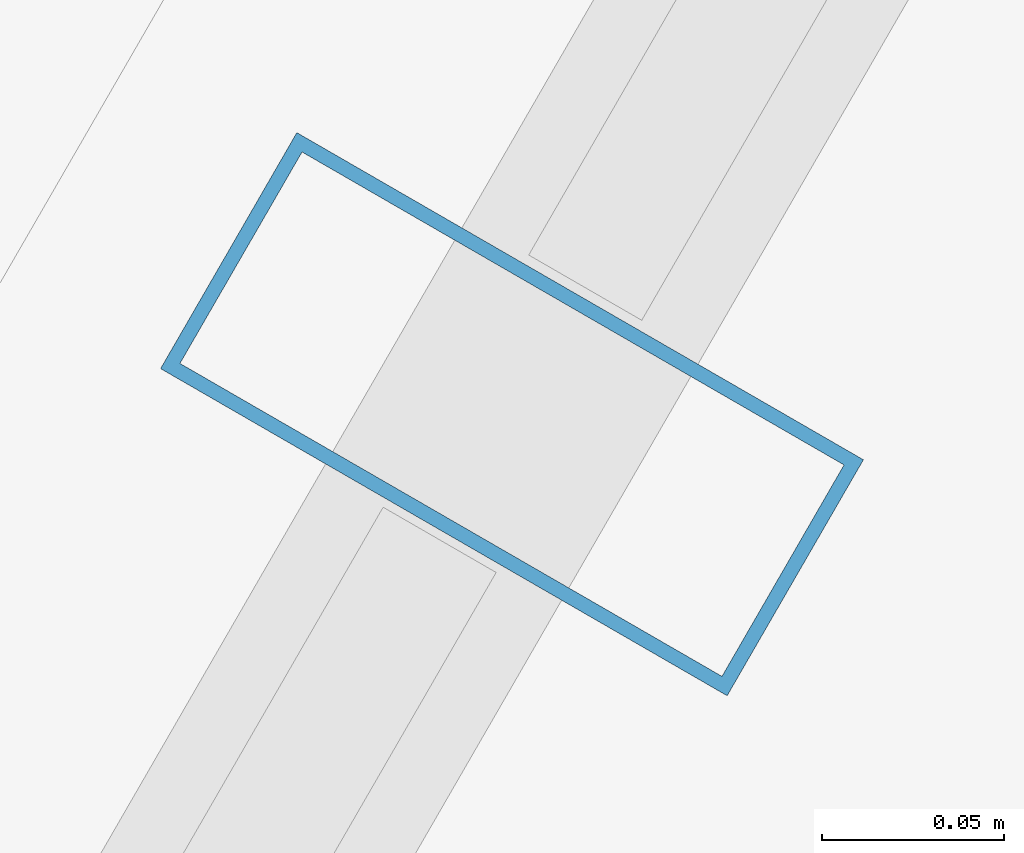
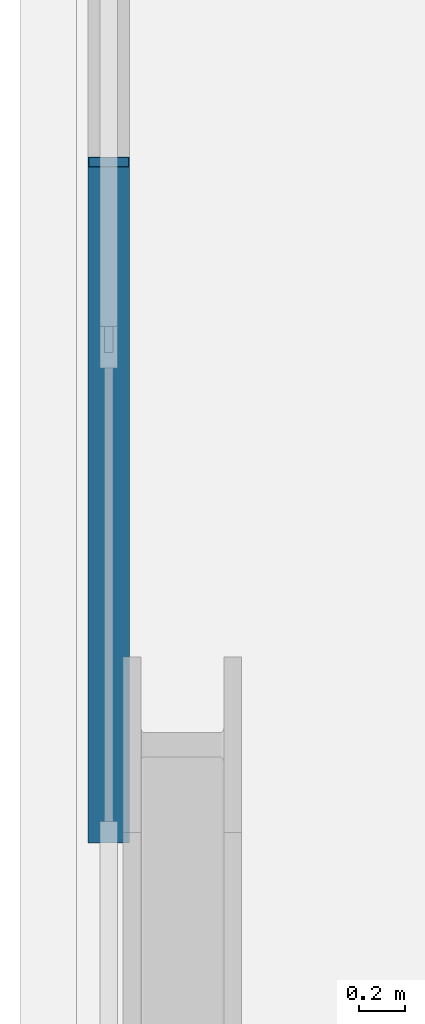
# One storey, part 14 of 33: 1 member, 1 element without a shape of its own.
"""IFC4 building model written with IfcOpenShell, lengths in metres."""

from ifc_helpers import new_model, si_unit, direction, frame, origin, origin_2d, place, context, subcontext, project, spatial, hollow_rectangle, extrude, material, layer, layer_set, material_profile, profile_set, type_object, element, aggregate, save


model = new_model("IFC4")

# Units and contexts
model_context = context("Model", 3, precision=1e-05, world=origin(), true_north=direction((0.0, 1.0)))
body_context = subcontext(model_context, "Body", "Model", "MODEL_VIEW")
ifc_project = project(units=[si_unit("LENGTHUNIT", "METRE"), si_unit("AREAUNIT", "SQUARE_METRE"), si_unit("VOLUMEUNIT", "CUBIC_METRE"), si_unit("PLANEANGLEUNIT", "RADIAN"), si_unit("MASSUNIT", "GRAM", prefix="KILO")], contexts=[model_context])

# Site, building, storey
site_placement = place(None, origin())
site = spatial("IfcSite", under=ifc_project, at=site_placement, CompositionType="ELEMENT")
building_placement = place(site_placement, origin())
building = spatial("IfcBuilding", under=site, at=building_placement, Name="Ndaravel Arena Tower", CompositionType="ELEMENT")
storey_placement = place(building_placement, frame((0.0, 0.0, 81.60009765625)))
storey = spatial("IfcBuildingStorey", under=building, at=storey_placement, Name="L18", CompositionType="ELEMENT", Elevation=81.60009765625)

# Curtain wall, member
ifc_material_1 = material(Name="Aluminium", Category="aluminium")
ifc_layer = layer(ifc_material_1, 0.179931640625)
ifc_layer_set = layer_set([ifc_layer], Name="Aluminium")
curtain_wall_type = type_object("IfcCurtainWallType", Name="CW-SYS-03", PredefinedType="NOTDEFINED", material=ifc_layer_set)
curtain_wall_placement = place(storey_placement, origin())
curtain_wall = element("IfcCurtainWall", 1, at=curtain_wall_placement, inside=storey, type_object=curtain_wall_type, Name="L18 Faceted Crystal Curtain Wall CW-L18-E05", PredefinedType="NOTDEFINED")
ifc_material_2 = material(Name="Aluminium", Category="aluminium")
ifc_material_profile = material_profile(ifc_material_2, hollow_rectangle(XDim=0.074951171875, YDim=0.179931640625, WallThickness=0.00390625, at=origin_2d()), Name="CW MULLION 75x180x4")
ifc_profile_set = profile_set([ifc_material_profile], Name="Aluminium")
member_type = type_object("IfcMemberType", Name="MEM-CW-MUL180", PredefinedType="MULLION", material=ifc_profile_set)
member_placement = place(storey_placement, frame((27.800537109375, 33.78955078125, 0.0), z_axis=(0.0, 0.0, 1.0), x_axis=(-0.5, -0.866025403784, 0.0)))
member = element("IfcMember", 2, at=member_placement, type_object=member_type, Name="CW-L18-E05 Mullion 03", PredefinedType="MULLION", context=body_context, shape_type="SweptSolid", body=[
    extrude(hollow_rectangle(XDim=0.074951171875, YDim=0.179931640625, WallThickness=0.00390625, at=origin_2d()), origin(), (0.0, 0.0, 1.0), 3.579833984375),
])
aggregate(curtain_wall, [member])

save(model, "model.ifc")
